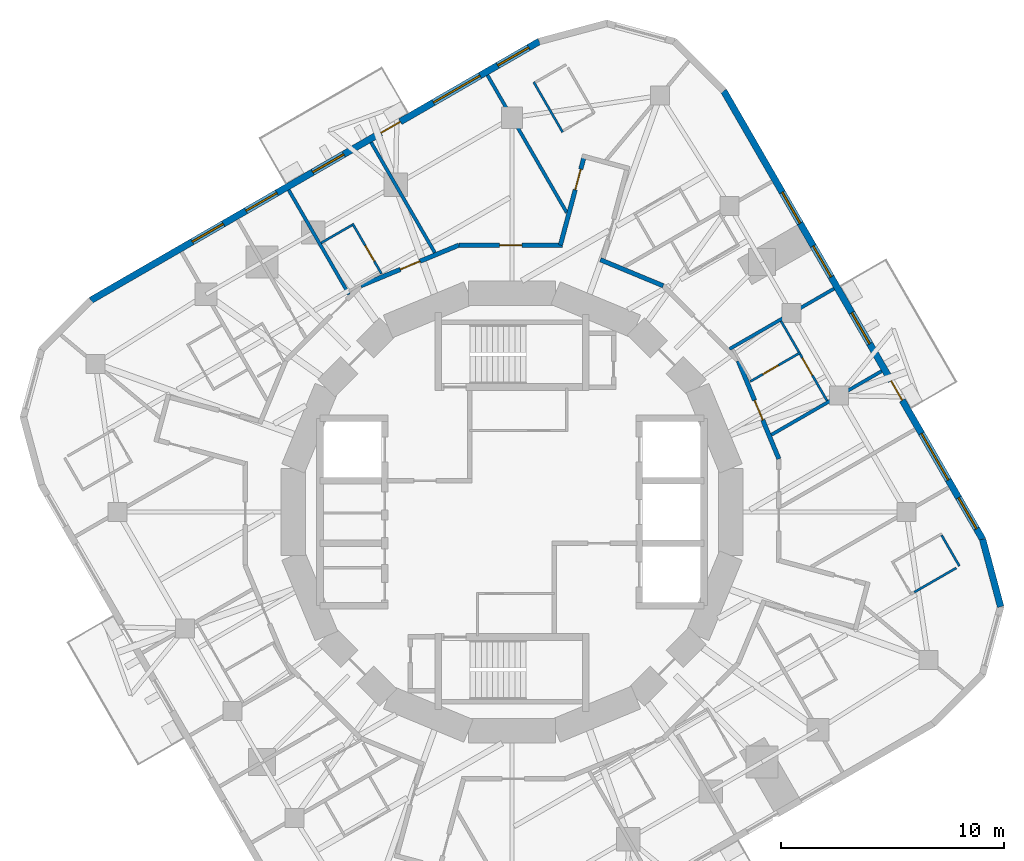
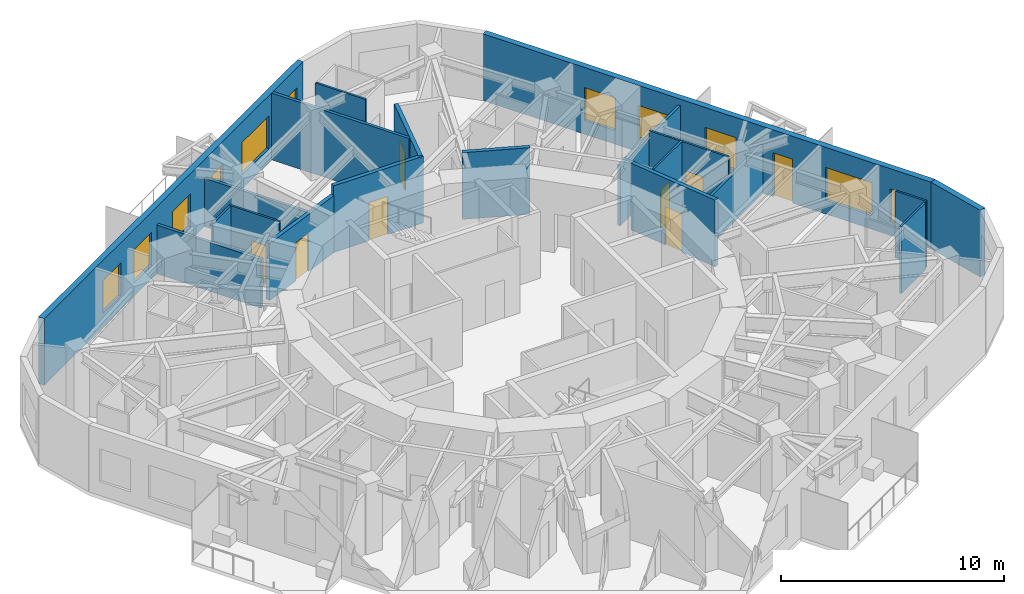
# One storey, part 8 of 11: 21 walls, 10 windows, 9 doors, 19 openings.
"""IFC4 building model written with IfcOpenShell, lengths in metres."""

from ifc_helpers import new_model, si_unit, direction, frame, frame_2d, origin, place, context, subcontext, project, spatial, rectangle, extrude, material, layer, layer_set, type_object, element, fill, save


model = new_model("IFC4")

# Units and contexts
model_context = context("Model", 3, precision=1e-05, world=origin(), true_north=direction((0.0, 1.0)))
body_context = subcontext(model_context, "Body", "Model", "MODEL_VIEW")
ifc_project = project(units=[si_unit("LENGTHUNIT", "METRE"), si_unit("AREAUNIT", "SQUARE_METRE"), si_unit("VOLUMEUNIT", "CUBIC_METRE"), si_unit("PLANEANGLEUNIT", "RADIAN"), si_unit("MASSUNIT", "GRAM", prefix="KILO")], contexts=[model_context])

# Site, building, storey
site_placement = place(None, origin())
site = spatial("IfcSite", under=ifc_project, at=site_placement, CompositionType="ELEMENT")
building_placement = place(site_placement, origin())
building = spatial("IfcBuilding", under=site, at=building_placement, Name="Nakasero Lantern House", CompositionType="ELEMENT")
storey_placement = place(building_placement, frame((0.0, 0.0, 242.35009765625)))
storey = spatial("IfcBuildingStorey", under=building, at=storey_placement, Name="L59", CompositionType="ELEMENT", Elevation=242.35009765625)

# Wall, opening, door
ifc_material_1 = material(Name="Blockwork", Category="masonry")
ifc_layer_1 = layer(ifc_material_1, 0.199951171875)
ifc_layer_set_1 = layer_set([ifc_layer_1], Name="Corridor wall 200")
wall_type_1 = type_object("IfcWallType", Name="Corridor wall 200", PredefinedType="PARTITIONING", material=ifc_layer_set_1)
wall_1_placement = place(storey_placement, frame((-6.773681640625, 10.137451171875, 0.0), z_axis=(0.0, 0.0, 1.0), x_axis=(0.923891735412, 0.382653970627, 0.0)))
wall_1 = element("IfcWall", 1, at=wall_1_placement, inside=storey, type_object=wall_type_1, Name="Corridor wall L59 RC11a", PredefinedType="PARTITIONING", context=body_context, shape_type="SweptSolid", body=[
    extrude(rectangle(XDim=4.757080078125, YDim=0.199951171875, at=frame_2d((2.37841796875, 0.0))), origin(), (0.0, 0.0, 1.0), 3.11328125),
])
opening_1_placement = place(wall_1_placement, frame((1.919921875, 0.0, 0.0)))
opening_1 = element("IfcOpeningElement", 2, at=opening_1_placement, cuts=wall_1, Name="Opening D01", PredefinedType="OPENING", context=body_context, shape_type="SweptSolid", body=[
    extrude(rectangle(XDim=0.949951171875, YDim=2.10009765625, at=frame_2d((0.47509765625, 1.050048828125))), frame((0.0, 0.119873046875, 0.0), z_axis=(0.0, -1.0, 0.0), x_axis=(1.0, 0.0, 0.0)), (0.0, 0.0, 1.0), 0.239990234375),
])
ifc_material_2 = material(Name="Timber C24", Category="wood")
door_type_1 = type_object("IfcDoorType", Name="Bedroom door FD30S 950", OperationType="SINGLE_SWING_LEFT", PredefinedType="DOOR", material=ifc_material_2)
door_1_placement = place(opening_1_placement, origin())
door_1 = element("IfcDoor", 3, at=door_1_placement, inside=storey, type_object=door_type_1, Name="Door L59 D1-03", OperationType="SINGLE_SWING_RIGHT", OverallHeight=2.10009765625, OverallWidth=0.949951171875, PredefinedType="DOOR", context=body_context, shape_type="SweptSolid", body=[
    extrude(rectangle(XDim=0.949951171875, YDim=2.10009765625, at=frame_2d((0.47509765625, 1.050048828125))), frame((0.0, 0.02490234375, 0.0), z_axis=(0.0, -1.0, 0.0), x_axis=(1.0, 0.0, 0.0)), (0.0, 0.0, 1.0), 0.050048828125),
])
fill(opening_1, door_1)

wall_2_placement = place(storey_placement, frame((-2.378662109375, 11.957763671875, 0.0), z_axis=(0.0, 0.0, 1.0), x_axis=(1.0, 0.0, 0.0)))
wall_2 = element("IfcWall", 4, at=wall_2_placement, inside=storey, type_object=wall_type_1, Name="Corridor wall L59 RC12a", PredefinedType="PARTITIONING", context=body_context, shape_type="SweptSolid", body=[
    extrude(rectangle(XDim=4.651123046875, YDim=0.199951171875, at=frame_2d((2.32568359375, 0.0))), origin(), (0.0, 0.0, 1.0), 3.64990234375),
])
opening_2_placement = place(wall_2_placement, frame((1.820068359375, 0.0, 0.0)))
opening_2 = element("IfcOpeningElement", 5, at=opening_2_placement, cuts=wall_2, Name="Opening D03", PredefinedType="OPENING", context=body_context, shape_type="SweptSolid", body=[
    extrude(rectangle(XDim=1.0, YDim=2.10009765625, at=frame_2d((0.5, 1.050048828125))), frame((0.0, 0.119873046875, 0.0), z_axis=(0.0, -1.0, 0.0), x_axis=(1.0, 0.0, 0.0)), (0.0, 0.0, 1.0), 0.239990234375),
])
ifc_material_3 = material(Name="Timber C24", Category="wood")
door_type_2 = type_object("IfcDoorType", Name="Lounge door FD30S 1000", OperationType="SINGLE_SWING_LEFT", PredefinedType="DOOR", material=ifc_material_3)
door_2_placement = place(opening_2_placement, origin())
door_2 = element("IfcDoor", 6, at=door_2_placement, inside=storey, type_object=door_type_2, Name="Door L59 DK1", OperationType="SINGLE_SWING_LEFT", OverallHeight=2.10009765625, OverallWidth=1.0, PredefinedType="DOOR", context=body_context, shape_type="SweptSolid", body=[
    extrude(rectangle(XDim=1.0, YDim=2.10009765625, at=frame_2d((0.5, 1.050048828125))), frame((0.0, 0.02490234375, 0.0), z_axis=(0.0, -1.0, 0.0), x_axis=(1.0, 0.0, 0.0)), (0.0, 0.0, 1.0), 0.050048828125),
])
fill(opening_2, door_2)

# Wall
wall_3_placement = place(storey_placement, frame((3.960205078125, 11.302734375, 0.0), z_axis=(0.0, 0.0, 1.0), x_axis=(0.923890787601, -0.382656259044, 0.0)))
element("IfcWall", 7, at=wall_3_placement, inside=storey, type_object=wall_type_1, Name="Corridor wall L59 RC13a", PredefinedType="PARTITIONING", context=body_context, shape_type="SweptSolid", body=[
    extrude(rectangle(XDim=3.045166015625, YDim=0.199951171875, at=frame_2d((1.5224609375, 0.0))), origin(), (0.0, 0.0, 1.0), 3.64990234375),
])

# Wall, opening, door
wall_4_placement = place(storey_placement, frame((10.137451171875, 6.773681640625, 0.0), z_axis=(0.0, 0.0, 1.0), x_axis=(0.382653970627, -0.923891735412, 0.0)))
wall_4 = element("IfcWall", 8, at=wall_4_placement, inside=storey, type_object=wall_type_1, Name="Corridor wall L59 RC15a", PredefinedType="PARTITIONING", context=body_context, shape_type="SweptSolid", body=[
    extrude(rectangle(XDim=4.757080078125, YDim=0.199951171875, at=frame_2d((2.37841796875, 0.0))), origin(), (0.0, 0.0, 1.0), 3.64990234375),
])
opening_3_placement = place(wall_4_placement, frame((1.919921875, 0.0, 0.0)))
opening_3 = element("IfcOpeningElement", 9, at=opening_3_placement, cuts=wall_4, Name="Opening D01", PredefinedType="OPENING", context=body_context, shape_type="SweptSolid", body=[
    extrude(rectangle(XDim=0.949951171875, YDim=2.10009765625, at=frame_2d((0.47509765625, 1.050048828125))), frame((0.0, 0.119873046875, 0.0), z_axis=(0.0, -1.0, 0.0), x_axis=(1.0, 0.0, 0.0)), (0.0, 0.0, 1.0), 0.239990234375),
])
door_3_placement = place(opening_3_placement, origin())
door_3 = element("IfcDoor", 10, at=door_3_placement, inside=storey, type_object=door_type_1, Name="Door L59 D0-03", OperationType="SINGLE_SWING_RIGHT", OverallHeight=2.10009765625, OverallWidth=0.949951171875, PredefinedType="DOOR", context=body_context, shape_type="SweptSolid", body=[
    extrude(rectangle(XDim=0.949951171875, YDim=2.10009765625, at=frame_2d((0.47509765625, 1.050048828125))), frame((0.0, 0.02490234375, 0.0), z_axis=(0.0, -1.0, 0.0), x_axis=(1.0, 0.0, 0.0)), (0.0, 0.0, 1.0), 0.050048828125),
])
fill(opening_3, door_3)

wall_5_placement = place(storey_placement, frame((2.168701171875, 11.957763671875, 0.0), z_axis=(0.0, 0.0, 1.0), x_axis=(0.258852936168, 0.965916744568, 0.0)))
wall_5 = element("IfcWall", 11, at=wall_5_placement, inside=storey, type_object=wall_type_1, Name="Corridor wall L59 SP0b", PredefinedType="PARTITIONING", context=body_context, shape_type="SweptSolid", body=[
    extrude(rectangle(XDim=4.212158203125, YDim=0.199951171875, at=frame_2d((2.10595703125, 0.0))), origin(), (0.0, 0.0, 1.0), 3.64990234375),
])
opening_4_placement = place(wall_5_placement, frame((2.570068359375, 0.0, 0.0)))
opening_4 = element("IfcOpeningElement", 12, at=opening_4_placement, cuts=wall_5, Name="Opening D01", PredefinedType="OPENING", context=body_context, shape_type="SweptSolid", body=[
    extrude(rectangle(XDim=0.949951171875, YDim=2.10009765625, at=frame_2d((0.47509765625, 1.050048828125))), frame((0.0, 0.119873046875, 0.0), z_axis=(0.0, -1.0, 0.0), x_axis=(1.0, 0.0, 0.0)), (0.0, 0.0, 1.0), 0.239990234375),
])
door_4_placement = place(opening_4_placement, origin())
door_4 = element("IfcDoor", 13, at=door_4_placement, inside=storey, type_object=door_type_1, Name="Door L59 D1-00", OperationType="SINGLE_SWING_RIGHT", OverallHeight=2.10009765625, OverallWidth=0.949951171875, PredefinedType="DOOR", context=body_context, shape_type="SweptSolid", body=[
    extrude(rectangle(XDim=0.949951171875, YDim=2.10009765625, at=frame_2d((0.47509765625, 1.050048828125))), frame((0.0, 0.02490234375, 0.0), z_axis=(0.0, -1.0, 0.0), x_axis=(1.0, 0.0, 0.0)), (0.0, 0.0, 1.0), 0.050048828125),
])
fill(opening_4, door_4)

# Wall
ifc_material_4 = material(Name="Blockwork", Category="masonry")
ifc_layer_2 = layer(ifc_material_4, 0.10009765625)
ifc_layer_set_2 = layer_set([ifc_layer_2], Name="En-suite wall 100")
wall_type_2 = type_object("IfcWallType", Name="En-suite wall 100", PredefinedType="PARTITIONING", material=ifc_layer_set_2)
wall_6_placement = place(storey_placement, frame((20.048828125, -2.425537109375, 0.0), z_axis=(0.0, 0.0, 1.0), x_axis=(-0.500061482766, 0.865989903783, 0.0)))
element("IfcWall", 14, at=wall_6_placement, inside=storey, type_object=wall_type_2, Name="En-suite wall L59 EE0-00", PredefinedType="PARTITIONING", context=body_context, shape_type="SweptSolid", body=[
    extrude(rectangle(XDim=1.599853515625, YDim=0.10009765625, at=frame_2d((0.7998046875, 0.0))), origin(), (0.0, 0.0, 1.0), 3.64990234375),
])

# Wall, opening, door
wall_7_placement = place(storey_placement, frame((10.674560546875, 5.846435546875, 0.0), z_axis=(0.0, 0.0, 1.0), x_axis=(0.866021400173, 0.500006934395, 0.0)))
wall_7 = element("IfcWall", 15, at=wall_7_placement, inside=storey, type_object=wall_type_2, Name="En-suite wall L59 ES0-03", PredefinedType="PARTITIONING", context=body_context, shape_type="SweptSolid", body=[
    extrude(rectangle(XDim=2.60009765625, YDim=0.10009765625, at=frame_2d((1.300048828125, 0.0))), origin(), (0.0, 0.0, 1.0), 3.64990234375),
])
opening_5_placement = place(wall_7_placement, frame((0.64990234375, 0.0, 0.0)))
opening_5 = element("IfcOpeningElement", 16, at=opening_5_placement, cuts=wall_7, Name="Opening D02", PredefinedType="OPENING", context=body_context, shape_type="SweptSolid", body=[
    extrude(rectangle(XDim=0.800048828125, YDim=2.10009765625, at=frame_2d((0.39990234375, 1.050048828125))), frame((0.0, 0.070068359375, 0.0), z_axis=(0.0, -1.0, 0.0), x_axis=(1.0, 0.0, 0.0)), (0.0, 0.0, 1.0), 0.14013671875),
])
ifc_material_5 = material(Name="Timber C24", Category="wood")
door_type_3 = type_object("IfcDoorType", Name="En-suite door 800", OperationType="SINGLE_SWING_RIGHT", PredefinedType="DOOR", material=ifc_material_5)
door_5_placement = place(opening_5_placement, origin())
door_5 = element("IfcDoor", 17, at=door_5_placement, inside=storey, type_object=door_type_3, Name="Door L59 DE0-03", OperationType="SINGLE_SWING_LEFT", OverallHeight=2.10009765625, OverallWidth=0.800048828125, PredefinedType="DOOR", context=body_context, shape_type="SweptSolid", body=[
    extrude(rectangle(XDim=0.800048828125, YDim=2.10009765625, at=frame_2d((0.39990234375, 1.050048828125))), frame((0.0, 0.02490234375, 0.0), z_axis=(0.0, -1.0, 0.0), x_axis=(1.0, 0.0, 0.0)), (0.0, 0.0, 1.0), 0.050048828125),
])
fill(opening_5, door_5)

# Walls
wall_8_placement = place(storey_placement, frame((12.85791015625, 7.164794921875, 0.0), z_axis=(0.0, 0.0, 1.0), x_axis=(-0.499880961361, 0.866094119867, 0.0)))
element("IfcWall", 18, at=wall_8_placement, inside=storey, type_object=wall_type_2, Name="En-suite wall L59 EE0-03", PredefinedType="PARTITIONING", context=body_context, shape_type="SweptSolid", body=[
    extrude(rectangle(XDim=1.60009765625, YDim=0.10009765625, at=frame_2d((0.800048828125, 0.0))), origin(), (0.0, 0.0, 1.0), 3.64990234375),
])
wall_9_placement = place(storey_placement, frame((2.271728515625, 17.015380859375, 0.0), z_axis=(0.0, 0.0, 1.0), x_axis=(-0.500006934395, 0.866021400173, 0.0)))
element("IfcWall", 19, at=wall_9_placement, inside=storey, type_object=wall_type_2, Name="En-suite wall L59 ES1-00", PredefinedType="PARTITIONING", context=body_context, shape_type="SweptSolid", body=[
    extrude(rectangle(XDim=2.60009765625, YDim=0.10009765625, at=frame_2d((1.300048828125, 0.0))), origin(), (0.0, 0.0, 1.0), 3.64990234375),
])

# Wall, opening, door
wall_10_placement = place(storey_placement, frame((-5.846435546875, 10.674560546875, 0.0), z_axis=(0.0, 0.0, 1.0), x_axis=(-0.500006934395, 0.866021400173, 0.0)))
wall_10 = element("IfcWall", 20, at=wall_10_placement, inside=storey, type_object=wall_type_2, Name="En-suite wall L59 ES1-03", PredefinedType="PARTITIONING", context=body_context, shape_type="SweptSolid", body=[
    extrude(rectangle(XDim=2.60009765625, YDim=0.10009765625, at=frame_2d((1.300048828125, 0.0))), origin(), (0.0, 0.0, 1.0), 3.64990234375),
])
opening_6_placement = place(wall_10_placement, frame((0.64990234375, 0.0, 0.0)))
opening_6 = element("IfcOpeningElement", 21, at=opening_6_placement, cuts=wall_10, Name="Opening D02", PredefinedType="OPENING", context=body_context, shape_type="SweptSolid", body=[
    extrude(rectangle(XDim=0.800048828125, YDim=2.10009765625, at=frame_2d((0.39990234375, 1.050048828125))), frame((0.0, 0.070068359375, 0.0), z_axis=(0.0, -1.0, 0.0), x_axis=(1.0, 0.0, 0.0)), (0.0, 0.0, 1.0), 0.14013671875),
])
door_6_placement = place(opening_6_placement, origin())
door_6 = element("IfcDoor", 22, at=door_6_placement, inside=storey, type_object=door_type_3, Name="Door L59 DE1-03", OperationType="SINGLE_SWING_LEFT", OverallHeight=2.10009765625, OverallWidth=0.800048828125, PredefinedType="DOOR", context=body_context, shape_type="SweptSolid", body=[
    extrude(rectangle(XDim=0.800048828125, YDim=2.10009765625, at=frame_2d((0.39990234375, 1.050048828125))), frame((0.0, 0.02490234375, 0.0), z_axis=(0.0, -1.0, 0.0), x_axis=(1.0, 0.0, 0.0)), (0.0, 0.0, 1.0), 0.050048828125),
])
fill(opening_6, door_6)

# Wall
wall_11_placement = place(storey_placement, frame((-7.164794921875, 12.85791015625, 0.0), z_axis=(0.0, 0.0, 1.0), x_axis=(-0.866094119867, -0.499880961361, 0.0)))
element("IfcWall", 23, at=wall_11_placement, inside=storey, type_object=wall_type_2, Name="En-suite wall L59 EE1-03", PredefinedType="PARTITIONING", context=body_context, shape_type="SweptSolid", body=[
    extrude(rectangle(XDim=1.60009765625, YDim=0.10009765625, at=frame_2d((0.800048828125, 0.0))), origin(), (0.0, 0.0, 1.0), 3.64990234375),
])

# Wall, opening, door
wall_12_placement = place(storey_placement, frame((14.1162109375, 4.985595703125, 0.0), z_axis=(0.0, 0.0, 1.0), x_axis=(-0.500040226184, 0.86600217794, 0.0)))
wall_12 = element("IfcWall", 24, at=wall_12_placement, inside=storey, type_object=wall_type_2, Name="En-suite wall L59 EL0-03", PredefinedType="PARTITIONING", context=body_context, shape_type="SweptSolid", body=[
    extrude(rectangle(XDim=2.416259765625, YDim=0.10009765625, at=frame_2d((1.2080078125, 0.0))), origin(), (0.0, 0.0, 1.0), 3.64990234375),
])
opening_7_placement = place(wall_12_placement, frame((1.31640625, 0.0, 0.0)))
opening_7 = element("IfcOpeningElement", 25, at=opening_7_placement, cuts=wall_12, Name="Opening D17", PredefinedType="OPENING", context=body_context, shape_type="SweptSolid", body=[
    extrude(rectangle(XDim=0.89990234375, YDim=2.10009765625, at=frame_2d((0.449951171875, 1.050048828125))), frame((0.0, 0.070068359375, 0.0), z_axis=(0.0, -1.0, 0.0), x_axis=(1.0, 0.0, 0.0)), (0.0, 0.0, 1.0), 0.14013671875),
])
ifc_material_6 = material(Name="Timber C24", Category="wood")
door_type_4 = type_object("IfcDoorType", Name="Bedroom door FD30S 900", OperationType="SINGLE_SWING_LEFT", PredefinedType="DOOR", material=ifc_material_6)
door_7_placement = place(opening_7_placement, origin())
door_7 = element("IfcDoor", 26, at=door_7_placement, inside=storey, type_object=door_type_4, Name="Door L59 DL0-03", OperationType="SINGLE_SWING_RIGHT", OverallHeight=2.10009765625, OverallWidth=0.89990234375, PredefinedType="DOOR", context=body_context, shape_type="SweptSolid", body=[
    extrude(rectangle(XDim=0.89990234375, YDim=2.10009765625, at=frame_2d((0.449951171875, 1.050048828125))), frame((0.0, 0.02490234375, 0.0), z_axis=(0.0, -1.0, 0.0), x_axis=(1.0, 0.0, 0.0)), (0.0, 0.0, 1.0), 0.050048828125),
])
fill(opening_7, door_7)

# Wall
wall_13_placement = place(storey_placement, frame((18.022216796875, -3.595458984375, 0.0), z_axis=(0.0, 0.0, 1.0), x_axis=(0.866056906104, 0.499945432413, 0.0)))
element("IfcWall", 27, at=wall_13_placement, inside=storey, type_object=wall_type_2, Name="En-suite wall L59 EX000", PredefinedType="PARTITIONING", context=body_context, shape_type="SweptSolid", body=[
    extrude(rectangle(XDim=2.179931640625, YDim=0.10009765625, at=frame_2d((1.08984375, 0.0))), origin(), (0.0, 0.0, 1.0), 3.64990234375),
])

# Wall, openings, door, windows
ifc_material_7 = material(Name="Aluminium rainscreen on blockwork", Category="masonry")
ifc_layer_3 = layer(ifc_material_7, 0.300048828125)
ifc_layer_set_3 = layer_set([ifc_layer_3], Name="Facade wall 300")
wall_type_3 = type_object("IfcWallType", Name="Facade wall 300", PredefinedType="SOLIDWALL", material=ifc_layer_set_3)
wall_14_placement = place(storey_placement, frame((21.08544921875, -1.220947265625, 0.0), z_axis=(0.0, 0.0, 1.0), x_axis=(-0.500003016864, 0.86602366199, 0.0)))
wall_14 = element("IfcWall", 28, at=wall_14_placement, inside=storey, type_object=wall_type_3, Name="Facade wall L59 FW0S", PredefinedType="SOLIDWALL", context=body_context, shape_type="SweptSolid", body=[
    extrude(rectangle(XDim=23.199951171875, YDim=0.300048828125, at=frame_2d((11.60009765625, 0.0))), origin(), (0.0, 0.0, 1.0), 3.64990234375),
])
opening_8_placement = place(wall_14_placement, frame((0.5458984375, 0.0, 0.75)))
opening_8 = element("IfcOpeningElement", 29, at=opening_8_placement, cuts=wall_14, Name="Opening W01", PredefinedType="OPENING", context=body_context, shape_type="SweptSolid", body=[
    extrude(rectangle(XDim=1.60009765625, YDim=1.800048828125, at=frame_2d((0.800048828125, 0.89990234375))), frame((0.0, 0.169921875, 0.0), z_axis=(0.0, -1.0, 0.0), x_axis=(1.0, 0.0, 0.0)), (0.0, 0.0, 1.0), 0.340087890625),
])
opening_9_placement = place(wall_14_placement, frame((10.11767578125, 0.0, 0.75)))
opening_9 = element("IfcOpeningElement", 30, at=opening_9_placement, cuts=wall_14, Name="Opening W01", PredefinedType="OPENING", context=body_context, shape_type="SweptSolid", body=[
    extrude(rectangle(XDim=1.60009765625, YDim=1.800048828125, at=frame_2d((0.800048828125, 0.89990234375))), frame((0.0, 0.169921875, 0.0), z_axis=(0.0, -1.0, 0.0), x_axis=(1.0, 0.0, 0.0)), (0.0, 0.0, 1.0), 0.340087890625),
])
opening_10_placement = place(wall_14_placement, frame((13.5751953125, 0.0, 0.75)))
opening_10 = element("IfcOpeningElement", 31, at=opening_10_placement, cuts=wall_14, Name="Opening W01", PredefinedType="OPENING", context=body_context, shape_type="SweptSolid", body=[
    extrude(rectangle(XDim=1.60009765625, YDim=1.800048828125, at=frame_2d((0.800048828125, 0.89990234375))), frame((0.0, 0.169921875, 0.0), z_axis=(0.0, -1.0, 0.0), x_axis=(1.0, 0.0, 0.0)), (0.0, 0.0, 1.0), 0.340087890625),
])
opening_11_placement = place(wall_14_placement, frame((16.349609375, 0.0, 0.75)))
opening_11 = element("IfcOpeningElement", 32, at=opening_11_placement, cuts=wall_14, Name="Opening W01", PredefinedType="OPENING", context=body_context, shape_type="SweptSolid", body=[
    extrude(rectangle(XDim=1.60009765625, YDim=1.800048828125, at=frame_2d((0.800048828125, 0.89990234375))), frame((0.0, 0.169921875, 0.0), z_axis=(0.0, -1.0, 0.0), x_axis=(1.0, 0.0, 0.0)), (0.0, 0.0, 1.0), 0.340087890625),
])
opening_12_placement = place(wall_14_placement, frame((3.071044921875, 0.0, 0.75)))
opening_12 = element("IfcOpeningElement", 33, at=opening_12_placement, cuts=wall_14, Name="Opening W03", PredefinedType="OPENING", context=body_context, shape_type="SweptSolid", body=[
    extrude(rectangle(XDim=2.39990234375, YDim=1.800048828125, at=frame_2d((1.199951171875, 0.89990234375))), frame((0.0, 0.169921875, 0.0), z_axis=(0.0, -1.0, 0.0), x_axis=(1.0, 0.0, 0.0)), (0.0, 0.0, 1.0), 0.340087890625),
])
opening_13_placement = place(wall_14_placement, frame((7.1904296875, 0.0, 0.0)))
opening_13 = element("IfcOpeningElement", 34, at=opening_13_placement, cuts=wall_14, Name="Opening D04", PredefinedType="OPENING", context=body_context, shape_type="SweptSolid", body=[
    extrude(rectangle(XDim=1.0, YDim=2.39990234375, at=frame_2d((0.5, 1.199951171875))), frame((0.0, 0.169921875, 0.0), z_axis=(0.0, -1.0, 0.0), x_axis=(1.0, 0.0, 0.0)), (0.0, 0.0, 1.0), 0.340087890625),
])
ifc_material_8 = material(Name="Aluminium 6063-T6 and glass", Category="aluminium")
door_type_5 = type_object("IfcDoorType", Name="Balcony door 1000x2400", OperationType="SINGLE_SWING_RIGHT", PredefinedType="DOOR", material=ifc_material_8)
door_8_placement = place(opening_13_placement, origin())
door_8 = element("IfcDoor", 35, at=door_8_placement, inside=storey, type_object=door_type_5, Name="Balcony door L59 DB0", OperationType="SINGLE_SWING_RIGHT", OverallHeight=2.39990234375, OverallWidth=1.0, PredefinedType="DOOR", context=body_context, shape_type="SweptSolid", body=[
    extrude(rectangle(XDim=1.0, YDim=2.39990234375, at=frame_2d((0.5, 1.199951171875))), frame((0.0, 0.02490234375, 0.0), z_axis=(0.0, -1.0, 0.0), x_axis=(1.0, 0.0, 0.0)), (0.0, 0.0, 1.0), 0.050048828125),
])
fill(opening_13, door_8)
ifc_material_9 = material(Name="Aluminium 6063-T6 and glass", Category="aluminium")
window_type_1 = type_object("IfcWindowType", Name="Bedroom window 1600x1800", PartitioningType="SINGLE_PANEL", PredefinedType="WINDOW", material=ifc_material_9)
window_1_placement = place(opening_8_placement, origin())
window_1 = element("IfcWindow", 36, at=window_1_placement, inside=storey, type_object=window_type_1, Name="Window L59 WN0-00", OverallHeight=1.800048828125, OverallWidth=1.60009765625, PartitioningType="SINGLE_PANEL", PredefinedType="WINDOW", context=body_context, shape_type="SweptSolid", body=[
    extrude(rectangle(XDim=1.60009765625, YDim=1.800048828125, at=frame_2d((0.800048828125, 0.89990234375))), frame((0.0, 0.030029296875, 0.0), z_axis=(0.0, -1.0, 0.0), x_axis=(1.0, 0.0, 0.0)), (0.0, 0.0, 1.0), 0.06005859375),
])
fill(opening_8, window_1)
window_2_placement = place(opening_9_placement, origin())
window_2 = element("IfcWindow", 37, at=window_2_placement, inside=storey, type_object=window_type_1, Name="Window L59 WN0-03", OverallHeight=1.800048828125, OverallWidth=1.60009765625, PartitioningType="SINGLE_PANEL", PredefinedType="WINDOW", context=body_context, shape_type="SweptSolid", body=[
    extrude(rectangle(XDim=1.60009765625, YDim=1.800048828125, at=frame_2d((0.800048828125, 0.89990234375))), frame((0.0, 0.030029296875, 0.0), z_axis=(0.0, -1.0, 0.0), x_axis=(1.0, 0.0, 0.0)), (0.0, 0.0, 1.0), 0.06005859375),
])
fill(opening_9, window_2)
window_3_placement = place(opening_10_placement, origin())
window_3 = element("IfcWindow", 38, at=window_3_placement, inside=storey, type_object=window_type_1, Name="Window L59 WN0-04", OverallHeight=1.800048828125, OverallWidth=1.60009765625, PartitioningType="SINGLE_PANEL", PredefinedType="WINDOW", context=body_context, shape_type="SweptSolid", body=[
    extrude(rectangle(XDim=1.60009765625, YDim=1.800048828125, at=frame_2d((0.800048828125, 0.89990234375))), frame((0.0, 0.030029296875, 0.0), z_axis=(0.0, -1.0, 0.0), x_axis=(1.0, 0.0, 0.0)), (0.0, 0.0, 1.0), 0.06005859375),
])
fill(opening_10, window_3)
window_4_placement = place(opening_11_placement, origin())
window_4 = element("IfcWindow", 39, at=window_4_placement, inside=storey, type_object=window_type_1, Name="Window L59 WN0-05", OverallHeight=1.800048828125, OverallWidth=1.60009765625, PartitioningType="SINGLE_PANEL", PredefinedType="WINDOW", context=body_context, shape_type="SweptSolid", body=[
    extrude(rectangle(XDim=1.60009765625, YDim=1.800048828125, at=frame_2d((0.800048828125, 0.89990234375))), frame((0.0, 0.030029296875, 0.0), z_axis=(0.0, -1.0, 0.0), x_axis=(1.0, 0.0, 0.0)), (0.0, 0.0, 1.0), 0.06005859375),
])
fill(opening_11, window_4)
ifc_material_10 = material(Name="Aluminium 6063-T6 and glass", Category="aluminium")
window_type_2 = type_object("IfcWindowType", Name="Lounge window 2400x1800", PartitioningType="SINGLE_PANEL", PredefinedType="WINDOW", material=ifc_material_10)
window_5_placement = place(opening_12_placement, origin())
window_5 = element("IfcWindow", 40, at=window_5_placement, inside=storey, type_object=window_type_2, Name="Window L59 WK0", OverallHeight=1.800048828125, OverallWidth=2.39990234375, PartitioningType="SINGLE_PANEL", PredefinedType="WINDOW", context=body_context, shape_type="SweptSolid", body=[
    extrude(rectangle(XDim=2.39990234375, YDim=1.800048828125, at=frame_2d((1.199951171875, 0.89990234375))), frame((0.0, 0.030029296875, 0.0), z_axis=(0.0, -1.0, 0.0), x_axis=(1.0, 0.0, 0.0)), (0.0, 0.0, 1.0), 0.06005859375),
])
fill(opening_12, window_5)

wall_15_placement = place(storey_placement, frame((1.220947265625, 21.08544921875, 0.0), z_axis=(0.0, 0.0, 1.0), x_axis=(-0.86602366199, -0.500003016864, 0.0)))
wall_15 = element("IfcWall", 41, at=wall_15_placement, inside=storey, type_object=wall_type_3, Name="Facade wall L59 FW1S", PredefinedType="SOLIDWALL", context=body_context, shape_type="SweptSolid", body=[
    extrude(rectangle(XDim=23.199951171875, YDim=0.300048828125, at=frame_2d((11.60009765625, 0.0))), origin(), (0.0, 0.0, 1.0), 3.64990234375),
])
opening_14_placement = place(wall_15_placement, frame((0.5458984375, 0.0, 0.75)))
opening_14 = element("IfcOpeningElement", 42, at=opening_14_placement, cuts=wall_15, Name="Opening W01", PredefinedType="OPENING", context=body_context, shape_type="SweptSolid", body=[
    extrude(rectangle(XDim=1.60009765625, YDim=1.800048828125, at=frame_2d((0.800048828125, 0.89990234375))), frame((0.0, 0.169921875, 0.0), z_axis=(0.0, -1.0, 0.0), x_axis=(1.0, 0.0, 0.0)), (0.0, 0.0, 1.0), 0.340087890625),
])
opening_15_placement = place(wall_15_placement, frame((10.11767578125, 0.0, 0.75)))
opening_15 = element("IfcOpeningElement", 43, at=opening_15_placement, cuts=wall_15, Name="Opening W01", PredefinedType="OPENING", context=body_context, shape_type="SweptSolid", body=[
    extrude(rectangle(XDim=1.60009765625, YDim=1.800048828125, at=frame_2d((0.800048828125, 0.89990234375))), frame((0.0, 0.169921875, 0.0), z_axis=(0.0, -1.0, 0.0), x_axis=(1.0, 0.0, 0.0)), (0.0, 0.0, 1.0), 0.340087890625),
])
opening_16_placement = place(wall_15_placement, frame((13.5751953125, 0.0, 0.75)))
opening_16 = element("IfcOpeningElement", 44, at=opening_16_placement, cuts=wall_15, Name="Opening W01", PredefinedType="OPENING", context=body_context, shape_type="SweptSolid", body=[
    extrude(rectangle(XDim=1.60009765625, YDim=1.800048828125, at=frame_2d((0.800048828125, 0.89990234375))), frame((0.0, 0.169921875, 0.0), z_axis=(0.0, -1.0, 0.0), x_axis=(1.0, 0.0, 0.0)), (0.0, 0.0, 1.0), 0.340087890625),
])
opening_17_placement = place(wall_15_placement, frame((16.349609375, 0.0, 0.75)))
opening_17 = element("IfcOpeningElement", 45, at=opening_17_placement, cuts=wall_15, Name="Opening W01", PredefinedType="OPENING", context=body_context, shape_type="SweptSolid", body=[
    extrude(rectangle(XDim=1.60009765625, YDim=1.800048828125, at=frame_2d((0.800048828125, 0.89990234375))), frame((0.0, 0.169921875, 0.0), z_axis=(0.0, -1.0, 0.0), x_axis=(1.0, 0.0, 0.0)), (0.0, 0.0, 1.0), 0.340087890625),
])
opening_18_placement = place(wall_15_placement, frame((3.071044921875, 0.0, 0.75)))
opening_18 = element("IfcOpeningElement", 46, at=opening_18_placement, cuts=wall_15, Name="Opening W03", PredefinedType="OPENING", context=body_context, shape_type="SweptSolid", body=[
    extrude(rectangle(XDim=2.39990234375, YDim=1.800048828125, at=frame_2d((1.199951171875, 0.89990234375))), frame((0.0, 0.169921875, 0.0), z_axis=(0.0, -1.0, 0.0), x_axis=(1.0, 0.0, 0.0)), (0.0, 0.0, 1.0), 0.340087890625),
])
opening_19_placement = place(wall_15_placement, frame((7.1904296875, 0.0, 0.0)))
opening_19 = element("IfcOpeningElement", 47, at=opening_19_placement, cuts=wall_15, Name="Opening D04", PredefinedType="OPENING", context=body_context, shape_type="SweptSolid", body=[
    extrude(rectangle(XDim=1.0, YDim=2.39990234375, at=frame_2d((0.5, 1.199951171875))), frame((0.0, 0.169921875, 0.0), z_axis=(0.0, -1.0, 0.0), x_axis=(1.0, 0.0, 0.0)), (0.0, 0.0, 1.0), 0.340087890625),
])
door_9_placement = place(opening_19_placement, origin())
door_9 = element("IfcDoor", 48, at=door_9_placement, inside=storey, type_object=door_type_5, Name="Balcony door L59 DB1", OperationType="SINGLE_SWING_RIGHT", OverallHeight=2.39990234375, OverallWidth=1.0, PredefinedType="DOOR", context=body_context, shape_type="SweptSolid", body=[
    extrude(rectangle(XDim=1.0, YDim=2.39990234375, at=frame_2d((0.5, 1.199951171875))), frame((0.0, 0.02490234375, 0.0), z_axis=(0.0, -1.0, 0.0), x_axis=(1.0, 0.0, 0.0)), (0.0, 0.0, 1.0), 0.050048828125),
])
fill(opening_19, door_9)
window_6_placement = place(opening_14_placement, origin())
window_6 = element("IfcWindow", 49, at=window_6_placement, inside=storey, type_object=window_type_1, Name="Window L59 WN1-00", OverallHeight=1.800048828125, OverallWidth=1.60009765625, PartitioningType="SINGLE_PANEL", PredefinedType="WINDOW", context=body_context, shape_type="SweptSolid", body=[
    extrude(rectangle(XDim=1.60009765625, YDim=1.800048828125, at=frame_2d((0.800048828125, 0.89990234375))), frame((0.0, 0.030029296875, 0.0), z_axis=(0.0, -1.0, 0.0), x_axis=(1.0, 0.0, 0.0)), (0.0, 0.0, 1.0), 0.06005859375),
])
fill(opening_14, window_6)
window_7_placement = place(opening_15_placement, origin())
window_7 = element("IfcWindow", 50, at=window_7_placement, inside=storey, type_object=window_type_1, Name="Window L59 WN1-03", OverallHeight=1.800048828125, OverallWidth=1.60009765625, PartitioningType="SINGLE_PANEL", PredefinedType="WINDOW", context=body_context, shape_type="SweptSolid", body=[
    extrude(rectangle(XDim=1.60009765625, YDim=1.800048828125, at=frame_2d((0.800048828125, 0.89990234375))), frame((0.0, 0.030029296875, 0.0), z_axis=(0.0, -1.0, 0.0), x_axis=(1.0, 0.0, 0.0)), (0.0, 0.0, 1.0), 0.06005859375),
])
fill(opening_15, window_7)
window_8_placement = place(opening_16_placement, origin())
window_8 = element("IfcWindow", 51, at=window_8_placement, inside=storey, type_object=window_type_1, Name="Window L59 WN1-04", OverallHeight=1.800048828125, OverallWidth=1.60009765625, PartitioningType="SINGLE_PANEL", PredefinedType="WINDOW", context=body_context, shape_type="SweptSolid", body=[
    extrude(rectangle(XDim=1.60009765625, YDim=1.800048828125, at=frame_2d((0.800048828125, 0.89990234375))), frame((0.0, 0.030029296875, 0.0), z_axis=(0.0, -1.0, 0.0), x_axis=(1.0, 0.0, 0.0)), (0.0, 0.0, 1.0), 0.06005859375),
])
fill(opening_16, window_8)
window_9_placement = place(opening_17_placement, origin())
window_9 = element("IfcWindow", 52, at=window_9_placement, inside=storey, type_object=window_type_1, Name="Window L59 WN1-05", OverallHeight=1.800048828125, OverallWidth=1.60009765625, PartitioningType="SINGLE_PANEL", PredefinedType="WINDOW", context=body_context, shape_type="SweptSolid", body=[
    extrude(rectangle(XDim=1.60009765625, YDim=1.800048828125, at=frame_2d((0.800048828125, 0.89990234375))), frame((0.0, 0.030029296875, 0.0), z_axis=(0.0, -1.0, 0.0), x_axis=(1.0, 0.0, 0.0)), (0.0, 0.0, 1.0), 0.06005859375),
])
fill(opening_17, window_9)
window_10_placement = place(opening_18_placement, origin())
window_10 = element("IfcWindow", 53, at=window_10_placement, inside=storey, type_object=window_type_2, Name="Window L59 WK1", OverallHeight=1.800048828125, OverallWidth=2.39990234375, PartitioningType="SINGLE_PANEL", PredefinedType="WINDOW", context=body_context, shape_type="SweptSolid", body=[
    extrude(rectangle(XDim=2.39990234375, YDim=1.800048828125, at=frame_2d((1.199951171875, 0.89990234375))), frame((0.0, 0.030029296875, 0.0), z_axis=(0.0, -1.0, 0.0), x_axis=(1.0, 0.0, 0.0)), (0.0, 0.0, 1.0), 0.06005859375),
])
fill(opening_18, window_10)

# Walls
wall_16_placement = place(storey_placement, frame((21.89599609375, -4.245849609375, 0.0), z_axis=(0.0, 0.0, 1.0), x_axis=(-0.258827010283, 0.96592369199, 0.0)))
element("IfcWall", 54, at=wall_16_placement, inside=storey, type_object=wall_type_3, Name="Facade wall L59 FW3C3", PredefinedType="SOLIDWALL", context=body_context, shape_type="SweptSolid", body=[
    extrude(rectangle(XDim=3.131591796875, YDim=0.300048828125, at=frame_2d((1.56591796875, 0.0))), origin(), (0.0, 0.0, 1.0), 3.64990234375),
])
ifc_material_11 = material(Name="Blockwork", Category="masonry")
ifc_layer_4 = layer(ifc_material_11, 0.14990234375)
ifc_layer_set_4 = layer_set([ifc_layer_4], Name="Party wall 150")
wall_type_4 = type_object("IfcWallType", Name="Party wall 150", PredefinedType="PARTITIONING", material=ifc_layer_set_4)
wall_17_placement = place(storey_placement, frame((11.619140625, 3.457275390625, 0.0), z_axis=(0.0, 0.0, 1.0), x_axis=(0.866023927955, 0.500002556202, 0.0)))
element("IfcWall", 55, at=wall_17_placement, inside=storey, type_object=wall_type_4, Name="Party wall L59 PW0-03", PredefinedType="PARTITIONING", context=body_context, shape_type="SweptSolid", body=[
    extrude(rectangle(XDim=5.708984375, YDim=0.14990234375, at=frame_2d((2.8544921875, 0.0))), origin(), (0.0, 0.0, 1.0), 2.641845703125),
])
wall_18_placement = place(storey_placement, frame((9.748779296875, 7.3037109375, 0.0), z_axis=(0.0, 0.0, 1.0), x_axis=(0.86600807666, 0.500030010259, 0.0)))
element("IfcWall", 56, at=wall_18_placement, inside=storey, type_object=wall_type_4, Name="Party wall L59 PW0-04", PredefinedType="PARTITIONING", context=body_context, shape_type="SweptSolid", body=[
    extrude(rectangle(XDim=5.405517578125, YDim=0.14990234375, at=frame_2d((2.70263671875, 0.0))), origin(), (0.0, 0.0, 1.0), 3.294921875),
])
wall_19_placement = place(storey_placement, frame((2.45556640625, 13.4140625, 0.0), z_axis=(0.0, 0.0, 1.0), x_axis=(-0.500023607337, 0.866011773653, 0.0)))
element("IfcWall", 57, at=wall_19_placement, inside=storey, type_object=wall_type_4, Name="Party wall L59 PW1-01", PredefinedType="PARTITIONING", context=body_context, shape_type="SweptSolid", body=[
    extrude(rectangle(XDim=7.111083984375, YDim=0.14990234375, at=frame_2d((3.5556640625, 0.0))), origin(), (0.0, 0.0, 1.0), 3.64990234375),
])
wall_20_placement = place(storey_placement, frame((-3.457275390625, 11.619140625, 0.0), z_axis=(0.0, 0.0, 1.0), x_axis=(-0.500002556202, 0.866023927955, 0.0)))
element("IfcWall", 58, at=wall_20_placement, inside=storey, type_object=wall_type_4, Name="Party wall L59 PW1-03", PredefinedType="PARTITIONING", context=body_context, shape_type="SweptSolid", body=[
    extrude(rectangle(XDim=5.708984375, YDim=0.14990234375, at=frame_2d((2.8544921875, 0.0))), origin(), (0.0, 0.0, 1.0), 2.641845703125),
])
wall_21_placement = place(storey_placement, frame((-7.3037109375, 9.748779296875, 0.0), z_axis=(0.0, 0.0, 1.0), x_axis=(-0.500030010259, 0.86600807666, 0.0)))
element("IfcWall", 59, at=wall_21_placement, inside=storey, type_object=wall_type_4, Name="Party wall L59 PW1-04", PredefinedType="PARTITIONING", context=body_context, shape_type="SweptSolid", body=[
    extrude(rectangle(XDim=5.405517578125, YDim=0.14990234375, at=frame_2d((2.70263671875, 0.0))), origin(), (0.0, 0.0, 1.0), 2.669921875),
])

save(model, "model.ifc")
